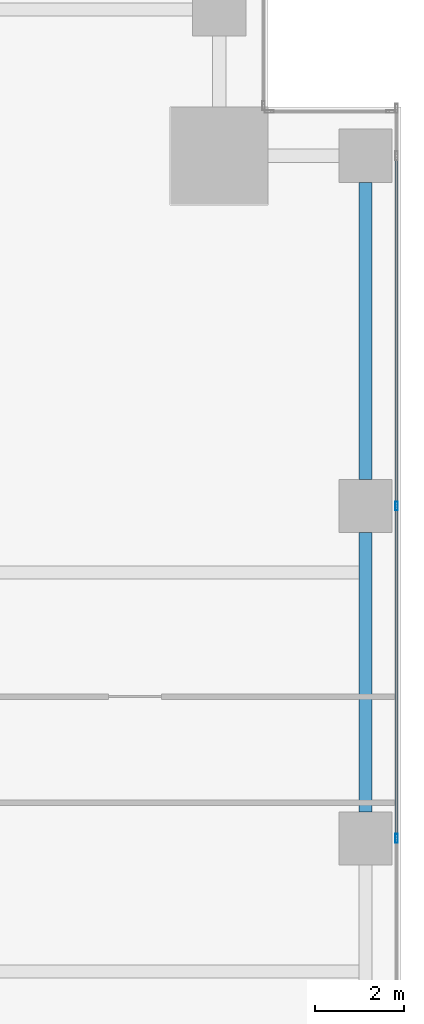
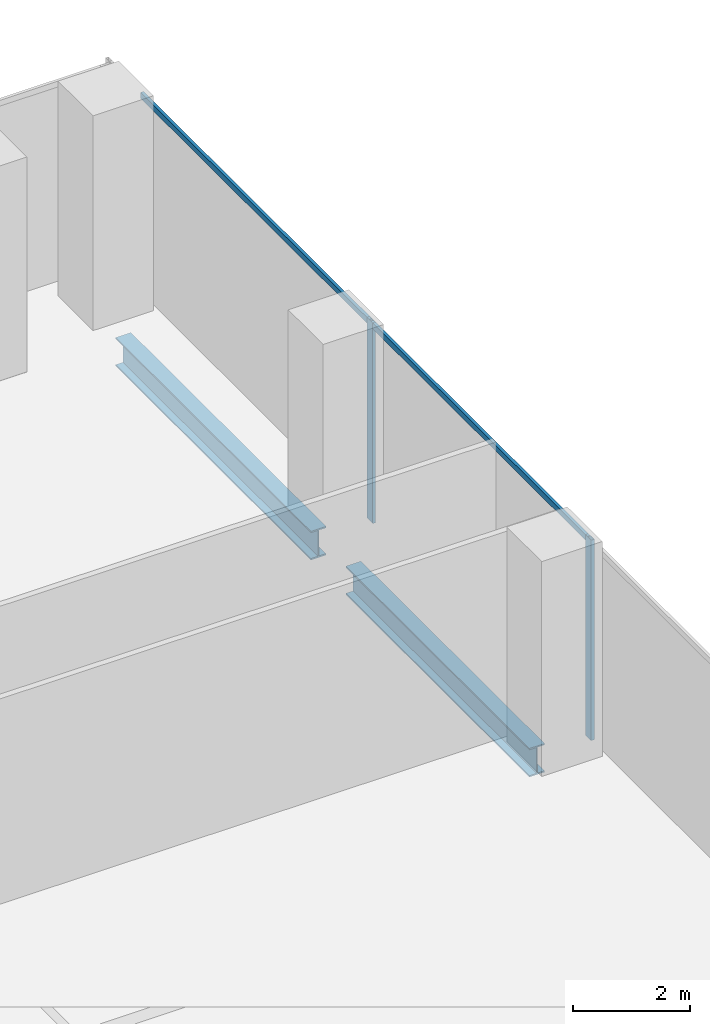
# One storey, part 18 of 33: 4 members, 2 beams, 1 element without a shape of its own.
"""IFC4 building model written with IfcOpenShell, lengths in metres."""

from ifc_helpers import new_model, si_unit, direction, frame, origin, origin_2d, place, context, subcontext, project, spatial, hollow_rectangle, i_section, extrude, source, transform, mapped, material, material_profile, profile_set, type_object, element, aggregate, save


model = new_model("IFC4")

# Units and contexts
model_context = context("Model", 3, precision=1e-05, world=origin(), true_north=direction((0.0, 1.0)))
body_context = subcontext(model_context, "Body", "Model", "MODEL_VIEW")
ifc_project = project(units=[si_unit("LENGTHUNIT", "METRE"), si_unit("AREAUNIT", "SQUARE_METRE"), si_unit("VOLUMEUNIT", "CUBIC_METRE"), si_unit("PLANEANGLEUNIT", "RADIAN"), si_unit("MASSUNIT", "GRAM", prefix="KILO")], contexts=[model_context])

# Site, building, storey
site_placement = place(None, origin())
site = spatial("IfcSite", under=ifc_project, at=site_placement, CompositionType="ELEMENT")
building_placement = place(site_placement, origin())
building = spatial("IfcBuilding", under=site, at=building_placement, Name="Khomas Fold Tower", CompositionType="ELEMENT")
storey_placement = place(building_placement, frame((0.0, 0.0, 91.5)))
storey = spatial("IfcBuildingStorey", under=building, at=storey_placement, Name="L19", CompositionType="ELEMENT", Elevation=91.5)

# Beams
ifc_material_1 = material(Name="Steel S355", Category="steel")
ifc_material_profile_1 = material_profile(ifc_material_1, i_section(OverallWidth=0.300048828125, OverallDepth=0.60009765625, WebThickness=0.015380859375, FlangeThickness=0.030029296875, at=origin_2d()), Name="HE 600 B")
ifc_profile_set_1 = profile_set([ifc_material_profile_1], Name="Steel S355")
beam_type = type_object("IfcBeamType", Name="HE 600 B spandrel SB1", PredefinedType="SPANDREL", material=ifc_profile_set_1)
shared_shape_1 = source(origin(), body_context, "Body", "SweptSolid", [
    extrude(i_section(OverallWidth=0.300048828125, OverallDepth=0.60009765625, WebThickness=0.015380859375, FlangeThickness=0.030029296875, at=origin_2d()), origin(), (0.0, 0.0, 1.0), 6.699951171875),
])
beam_1_placement = place(storey_placement, frame((53.199951171875, 42.60009765625, -0.60009765625), z_axis=(0.0, 1.0, 0.0), x_axis=(-1.0, 0.0, 0.0)))
element("IfcBeam", 1, at=beam_1_placement, inside=storey, type_object=beam_type, Name="SB1", PredefinedType="SPANDREL", context=body_context, shape_type="MappedRepresentation", body=[
    mapped(shared_shape_1, transform((0.0, 0.0, 0.0))),
])
shared_shape_2 = source(origin(), body_context, "Body", "SweptSolid", [
    extrude(i_section(OverallWidth=0.300048828125, OverallDepth=0.60009765625, WebThickness=0.015380859375, FlangeThickness=0.030029296875, at=origin_2d()), origin(), (0.0, 0.0, 1.0), 6.2998046875),
])
beam_2_placement = place(storey_placement, frame((53.199951171875, 35.10009765625, -0.60009765625), z_axis=(0.0, 1.0, 0.0), x_axis=(-1.0, 0.0, 0.0)))
element("IfcBeam", 2, at=beam_2_placement, inside=storey, type_object=beam_type, Name="SB1", PredefinedType="SPANDREL", context=body_context, shape_type="MappedRepresentation", body=[
    mapped(shared_shape_2, transform((0.0, 0.0, 0.0))),
])

# Curtain wall, members
ifc_material_2 = material(Name="Aluminium framed double glazing", Category="aluminium")
curtain_wall_type = type_object("IfcCurtainWallType", Name="SK-Unitised clear-glass wall, growing floors CW1", PredefinedType="NOTDEFINED", material=ifc_material_2)
curtain_wall_placement = place(storey_placement, origin())
curtain_wall = element("IfcCurtainWall", 3, at=curtain_wall_placement, inside=storey, type_object=curtain_wall_type, Name="CW1 run L19 03-0", PredefinedType="NOTDEFINED")
ifc_material_3 = material(Name="Aluminium", Category="aluminium")
ifc_material_profile_2 = material_profile(ifc_material_3, hollow_rectangle(XDim=0.06005859375, YDim=0.1201171875, WallThickness=0.00390625, at=origin_2d()), Name="SK-Unitised clear-glass wall, growing floors transom CW1-T")
ifc_profile_set_2 = profile_set([ifc_material_profile_2], Name="Aluminium")
member_type_1 = type_object("IfcMemberType", Name="SK-Unitised clear-glass wall, growing floors transom CW1-T", PredefinedType="USERDEFINED", material=ifc_profile_set_2)
shared_shape_3 = source(origin(), body_context, "Body", "SweptSolid", [
    extrude(hollow_rectangle(XDim=0.06005859375, YDim=0.1201171875, WallThickness=0.00390625, at=origin_2d()), origin(), (0.0, 0.0, 1.0), 7.840087890625),
])
member_1_placement = place(storey_placement, frame((53.89990234375, 42.030029296875, 4.139892578125), z_axis=(0.0, 1.0, 0.0), x_axis=(-1.0, 0.0, 0.0)))
member_1 = element("IfcMember", 4, at=member_1_placement, type_object=member_type_1, Name="CW1 transom 7", ObjectType="TRANSOM", PredefinedType="USERDEFINED", context=body_context, shape_type="MappedRepresentation", body=[
    mapped(shared_shape_3, transform((0.0, 0.0, 0.0))),
])
shared_shape_4 = source(origin(), body_context, "Body", "SweptSolid", [
    extrude(hollow_rectangle(XDim=0.06005859375, YDim=0.1201171875, WallThickness=0.00390625, at=origin_2d()), origin(), (0.0, 0.0, 1.0), 7.43994140625),
])
member_2_placement = place(storey_placement, frame((53.89990234375, 34.530029296875, 4.139892578125), z_axis=(0.0, 1.0, 0.0), x_axis=(-1.0, 0.0, 0.0)))
member_2 = element("IfcMember", 5, at=member_2_placement, type_object=member_type_1, Name="CW1 transom 6", ObjectType="TRANSOM", PredefinedType="USERDEFINED", context=body_context, shape_type="MappedRepresentation", body=[
    mapped(shared_shape_4, transform((0.0, 0.0, 0.0))),
])
ifc_material_4 = material(Name="Aluminium", Category="aluminium")
ifc_material_profile_3 = material_profile(ifc_material_4, hollow_rectangle(XDim=0.06005859375, YDim=0.199951171875, WallThickness=0.00390625, at=origin_2d()), Name="SK-Unitised clear-glass wall, growing floors mullion CW1-M")
ifc_profile_set_3 = profile_set([ifc_material_profile_3], Name="Aluminium")
member_type_2 = type_object("IfcMemberType", Name="SK-Unitised clear-glass wall, growing floors mullion CW1-M", PredefinedType="MULLION", material=ifc_profile_set_3)
shared_shape_5 = source(origin(), body_context, "Body", "SweptSolid", [
    extrude(hollow_rectangle(XDim=0.06005859375, YDim=0.199951171875, WallThickness=0.00390625, at=origin_2d()), origin(), (0.0, 0.0, 1.0), 4.199951171875),
])
member_3_placement = place(storey_placement, frame((53.89990234375, 34.5, 0.0), z_axis=(0.0, 0.0, 1.0), x_axis=(-1.0, 0.0, 0.0)))
member_3 = element("IfcMember", 6, at=member_3_placement, type_object=member_type_2, Name="CW1 mullion 6", PredefinedType="MULLION", context=body_context, shape_type="MappedRepresentation", body=[
    mapped(shared_shape_5, transform((0.0, 0.0, 0.0))),
])
member_4_placement = place(storey_placement, frame((53.89990234375, 42.0, 0.0), z_axis=(0.0, 0.0, 1.0), x_axis=(-1.0, 0.0, 0.0)))
member_4 = element("IfcMember", 7, at=member_4_placement, type_object=member_type_2, Name="CW1 mullion 7", PredefinedType="MULLION", context=body_context, shape_type="MappedRepresentation", body=[
    mapped(shared_shape_5, transform((0.0, 0.0, 0.0))),
])
aggregate(curtain_wall, [member_3, member_4, member_2, member_1])

save(model, "model.ifc")
